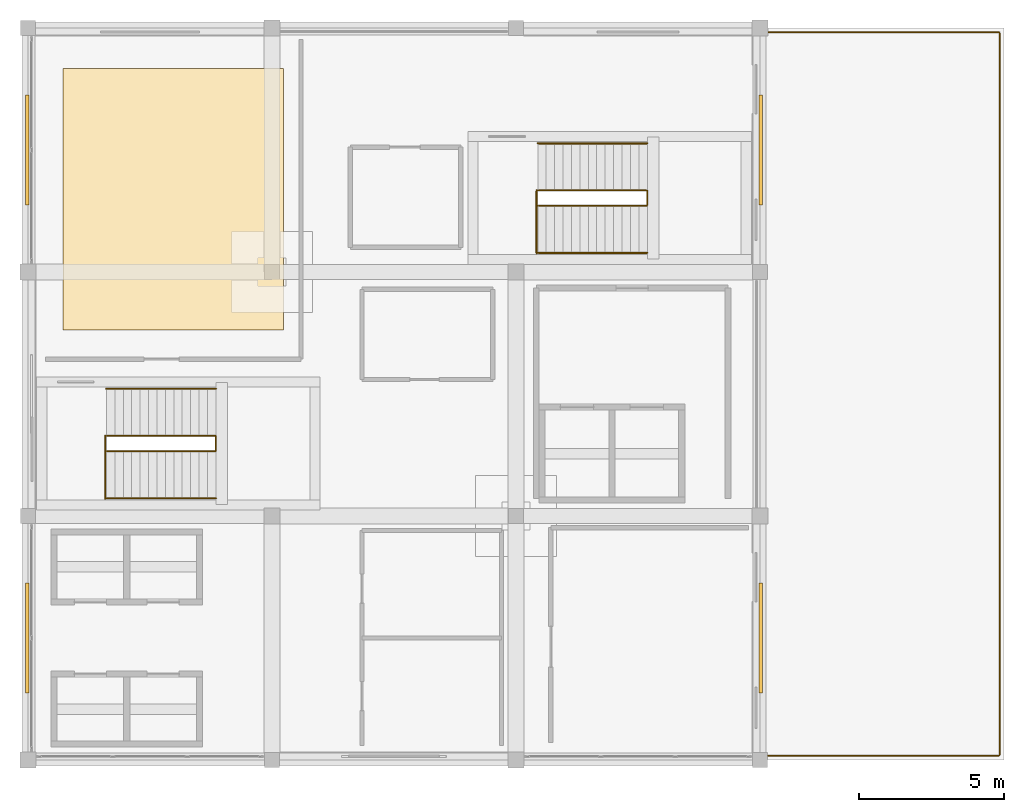
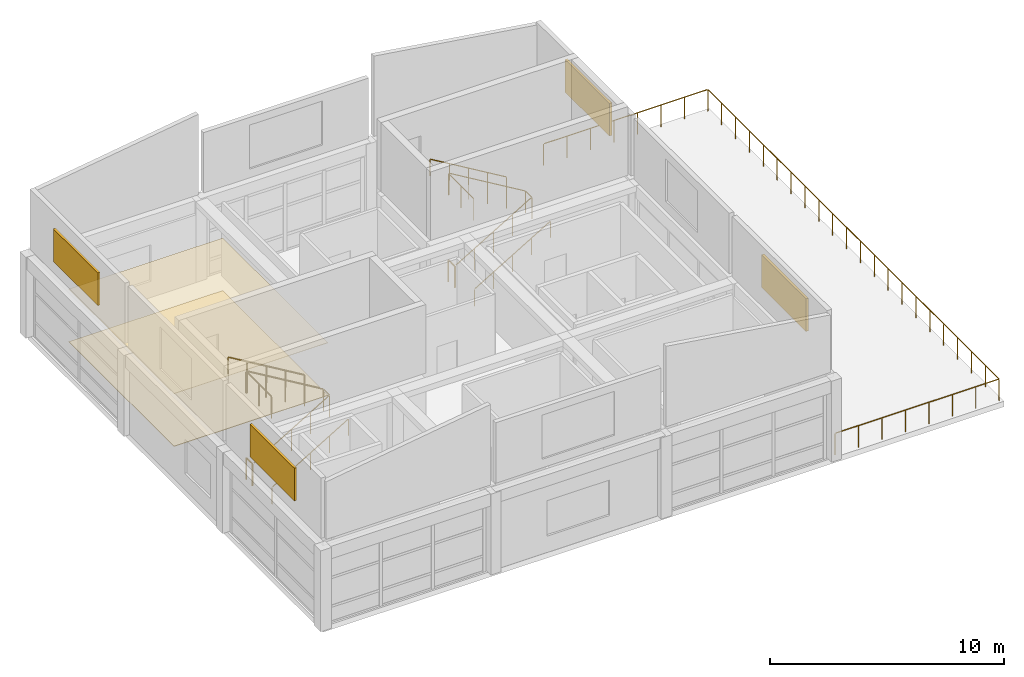
# One storey, part 17 of 17: 11 railings, 4 shading devices, 2 coverings.
"""IFC4 building model written with IfcOpenShell, lengths in metres."""

from ifc_helpers import new_model, si_unit, direction, frame, origin, origin_2d, place, context, subcontext, project, spatial, polyline, rectangle, circle, outline, extrude, material, layer, layer_set, type_object, element, save


model = new_model("IFC4")

# Units and contexts
model_context = context("Model", 3, precision=1e-05, world=origin(), true_north=direction((0.0, 1.0)))
body_context = subcontext(model_context, "Body", "Model", "MODEL_VIEW")
ifc_project = project(units=[si_unit("LENGTHUNIT", "METRE"), si_unit("AREAUNIT", "SQUARE_METRE"), si_unit("VOLUMEUNIT", "CUBIC_METRE"), si_unit("PLANEANGLEUNIT", "RADIAN"), si_unit("MASSUNIT", "GRAM", prefix="KILO")], contexts=[model_context])

# Site, building, storey
site_placement = place(None, origin())
site = spatial("IfcSite", under=ifc_project, at=site_placement, CompositionType="ELEMENT")
building_placement = place(site_placement, origin())
building = spatial("IfcBuilding", under=site, at=building_placement, Name="Almacenes y Pasaje Nevantli", CompositionType="ELEMENT")
storey_placement = place(building_placement, frame((0.0, 0.0, 66.699951171875)))
storey = spatial("IfcBuildingStorey", under=building, at=storey_placement, Name="L16", CompositionType="ELEMENT", Elevation=66.699951171875)

# Coverings
ifc_material_1 = material(Name="Perforated Acoustic Mineral Fiber Ceiling", Category="gypsum")
ifc_layer_1 = layer(ifc_material_1, 0.02001953125)
ifc_layer_set_1 = layer_set([ifc_layer_1], Name="Perforated Acoustic Mineral Fiber Ceiling")
covering_type_1 = type_object("IfcCoveringType", Name="COV-CEIL-ACU", PredefinedType="CEILING", material=ifc_layer_set_1)
covering_1_placement = place(storey_placement, frame((0.0, 0.0, 2.75)))
element("IfcCovering", 1, at=covering_1_placement, inside=storey, type_object=covering_type_1, Name="L16 Suspended Acoustic Ceiling Panel", PredefinedType="CEILING", context=body_context, shape_type="SweptSolid", body=[
    extrude(outline(polyline([(118.800048828125, 82.0), (126.39990234375, 82.0), (126.39990234375, 91.0), (118.800048828125, 91.0), (118.800048828125, 82.0)])), origin(), (0.0, 0.0, 1.0), 0.02001953125),
])
ifc_material_2 = material(Name="Polished Toluca Stone Terrazzo Flooring", Category="masonry")
ifc_layer_2 = layer(ifc_material_2, 0.02490234375)
ifc_layer_set_2 = layer_set([ifc_layer_2], Name="Polished Toluca Stone Terrazzo Flooring")
covering_type_2 = type_object("IfcCoveringType", Name="COV-FLR-TERRAZZO", PredefinedType="FLOORING", material=ifc_layer_set_2)
covering_2_placement = place(storey_placement, origin())
element("IfcCovering", 2, at=covering_2_placement, inside=storey, type_object=covering_type_2, Name="L16 Polished Stone Terrazzo Floor Finish", PredefinedType="FLOORING", context=body_context, shape_type="SweptSolid", body=[
    extrude(outline(polyline([(118.800048828125, 82.0), (126.39990234375, 82.0), (126.39990234375, 91.0), (118.800048828125, 91.0), (118.800048828125, 82.0)])), origin(), (0.0, 0.0, 1.0), 0.025146484375),
])

# Railings
ifc_material_3 = material(Name="Brushed Stainless Steel and Tempered Safety Glass", Category="steel")
railing_type_1 = type_object("IfcRailingType", Name="RL-GUARD-1100", PredefinedType="BALUSTRADE", material=ifc_material_3)
railing_1_placement = place(storey_placement, frame((120.260009765625, 76.18994140625, 4.5)))
element("IfcRailing", 3, at=railing_1_placement, inside=storey, type_object=railing_type_1, Name="L16 Crown Stair ST-01 Top Floor Well Guard", PredefinedType="BALUSTRADE", context=body_context, shape_type="SweptSolid", body=[
    extrude(circle(Radius=0.02392578125, at=origin_2d()), frame((0.0, 0.030029296875, 1.1259765625), z_axis=(0.0, 1.0, 0.0), x_axis=(-1.0, 0.0, 0.0)), (0.0, 0.0, 1.0), 2.110107421875),
    extrude(circle(Radius=0.02099609375, at=origin_2d()), origin(), (0.0, 0.0, 1.0), 1.096923828125),
    extrude(circle(Radius=0.02099609375, at=origin_2d()), frame((0.0, 1.0849609375, 0.0)), (0.0, 0.0, 1.0), 1.096923828125),
    extrude(circle(Radius=0.02099609375, at=origin_2d()), frame((0.0, 2.170166015625, 0.0)), (0.0, 0.0, 1.0), 1.096923828125),
])
railing_2_placement = place(storey_placement, frame((120.300048828125, 77.830078125, 0.0)))
element("IfcRailing", 4, at=railing_2_placement, inside=storey, type_object=railing_type_1, Name="L16 Stair ST-01 Inner Well Guard Balustrade", PredefinedType="BALUSTRADE", context=body_context, shape_type="SweptSolid", body=[
    extrude(circle(Radius=0.02392578125, at=origin_2d()), frame((0.02587890625, 0.0, 1.14111328125), z_axis=(0.858697585051, 0.0, 0.512482641098), x_axis=(0.0, 1.0, 0.0)), (0.0, 0.0, 1.0), 4.330322265625),
    extrude(circle(Radius=0.02392578125, at=origin_2d()), frame((3.77001953125, 0.030029296875, 3.3759765625), z_axis=(0.0, 1.0, 0.0), x_axis=(-1.0, 0.0, 0.0)), (0.0, 0.0, 1.0), 0.469970703125),
    extrude(circle(Radius=0.02392578125, at=origin_2d()), frame((3.744140625, 0.530029296875, 3.39111328125), z_axis=(-0.858697585051, 0.0, 0.512482641098), x_axis=(0.0, -1.0, 0.0)), (0.0, 0.0, 1.0), 4.330322265625),
    extrude(circle(Radius=0.02099609375, at=origin_2d()), origin(), (0.0, 0.0, 1.0), 1.096923828125),
    extrude(circle(Radius=0.02099609375, at=origin_2d()), frame((0.9423828125, 0.0, 0.5625)), (0.0, 0.0, 1.0), 1.096923828125),
    extrude(circle(Radius=0.02099609375, at=origin_2d()), frame((1.885009765625, 0.0, 1.125)), (0.0, 0.0, 1.0), 1.096923828125),
    extrude(circle(Radius=0.02099609375, at=origin_2d()), frame((2.82763671875, 0.0, 1.6875)), (0.0, 0.0, 1.0), 1.096923828125),
    extrude(circle(Radius=0.02099609375, at=origin_2d()), frame((3.77001953125, 0.0, 2.25)), (0.0, 0.0, 1.0), 1.096923828125),
    extrude(circle(Radius=0.02099609375, at=origin_2d()), frame((3.77001953125, 0.530029296875, 2.25)), (0.0, 0.0, 1.0), 1.096923828125),
    extrude(circle(Radius=0.02099609375, at=origin_2d()), frame((2.82763671875, 0.530029296875, 2.8125)), (0.0, 0.0, 1.0), 1.096923828125),
    extrude(circle(Radius=0.02099609375, at=origin_2d()), frame((1.885009765625, 0.530029296875, 3.375)), (0.0, 0.0, 1.0), 1.096923828125),
    extrude(circle(Radius=0.02099609375, at=origin_2d()), frame((0.9423828125, 0.530029296875, 3.9375)), (0.0, 0.0, 1.0), 1.096923828125),
    extrude(circle(Radius=0.02099609375, at=origin_2d()), frame((0.0, 0.530029296875, 4.5)), (0.0, 0.0, 1.0), 1.096923828125),
])
railing_3_placement = place(storey_placement, frame((120.260009765625, 77.830078125, 0.0)))
element("IfcRailing", 5, at=railing_3_placement, inside=storey, type_object=railing_type_1, Name="L16 Stair ST-01 Landing Well Slot Guard", PredefinedType="BALUSTRADE", context=body_context, shape_type="SweptSolid", body=[
    extrude(circle(Radius=0.02392578125, at=origin_2d()), frame((0.0, 0.030029296875, 1.1259765625), z_axis=(0.0, 1.0, 0.0), x_axis=(-1.0, 0.0, 0.0)), (0.0, 0.0, 1.0), 0.469970703125),
    extrude(circle(Radius=0.02099609375, at=origin_2d()), origin(), (0.0, 0.0, 1.0), 1.096923828125),
    extrude(circle(Radius=0.02099609375, at=origin_2d()), frame((0.0, 0.530029296875, 0.0)), (0.0, 0.0, 1.0), 1.096923828125),
])
railing_4_placement = place(storey_placement, frame((135.110107421875, 84.639892578125, 4.5)))
element("IfcRailing", 6, at=railing_4_placement, inside=storey, type_object=railing_type_1, Name="L16 Crown Stair ST-02 Top Floor Well Guard", PredefinedType="BALUSTRADE", context=body_context, shape_type="SweptSolid", body=[
    extrude(circle(Radius=0.02392578125, at=origin_2d()), frame((0.0, 0.030029296875, 1.1259765625), z_axis=(0.0, 1.0, 0.0), x_axis=(-1.0, 0.0, 0.0)), (0.0, 0.0, 1.0), 2.110107421875),
    extrude(circle(Radius=0.02099609375, at=origin_2d()), origin(), (0.0, 0.0, 1.0), 1.096923828125),
    extrude(circle(Radius=0.02099609375, at=origin_2d()), frame((0.0, 1.0849609375, 0.0)), (0.0, 0.0, 1.0), 1.096923828125),
    extrude(circle(Radius=0.02099609375, at=origin_2d()), frame((0.0, 2.170166015625, 0.0)), (0.0, 0.0, 1.0), 1.096923828125),
])
railing_5_placement = place(storey_placement, frame((135.14990234375, 86.280029296875, 0.0)))
element("IfcRailing", 7, at=railing_5_placement, inside=storey, type_object=railing_type_1, Name="L16 Stair ST-02 Inner Well Guard Balustrade", PredefinedType="BALUSTRADE", context=body_context, shape_type="SweptSolid", body=[
    extrude(circle(Radius=0.02392578125, at=origin_2d()), frame((0.02587890625, 0.0, 1.14111328125), z_axis=(0.858697585051, 0.0, 0.512482641098), x_axis=(0.0, 1.0, 0.0)), (0.0, 0.0, 1.0), 4.330322265625),
    extrude(circle(Radius=0.02392578125, at=origin_2d()), frame((3.77001953125, 0.030029296875, 3.3759765625), z_axis=(0.0, 1.0, 0.0), x_axis=(-1.0, 0.0, 0.0)), (0.0, 0.0, 1.0), 0.469970703125),
    extrude(circle(Radius=0.02392578125, at=origin_2d()), frame((3.744140625, 0.530029296875, 3.39111328125), z_axis=(-0.858697585051, 0.0, 0.512482641098), x_axis=(0.0, -1.0, 0.0)), (0.0, 0.0, 1.0), 4.330322265625),
    extrude(circle(Radius=0.02099609375, at=origin_2d()), origin(), (0.0, 0.0, 1.0), 1.096923828125),
    extrude(circle(Radius=0.02099609375, at=origin_2d()), frame((0.9423828125, 0.0, 0.5625)), (0.0, 0.0, 1.0), 1.096923828125),
    extrude(circle(Radius=0.02099609375, at=origin_2d()), frame((1.885009765625, 0.0, 1.125)), (0.0, 0.0, 1.0), 1.096923828125),
    extrude(circle(Radius=0.02099609375, at=origin_2d()), frame((2.82763671875, 0.0, 1.6875)), (0.0, 0.0, 1.0), 1.096923828125),
    extrude(circle(Radius=0.02099609375, at=origin_2d()), frame((3.77001953125, 0.0, 2.25)), (0.0, 0.0, 1.0), 1.096923828125),
    extrude(circle(Radius=0.02099609375, at=origin_2d()), frame((3.77001953125, 0.530029296875, 2.25)), (0.0, 0.0, 1.0), 1.096923828125),
    extrude(circle(Radius=0.02099609375, at=origin_2d()), frame((2.82763671875, 0.530029296875, 2.8125)), (0.0, 0.0, 1.0), 1.096923828125),
    extrude(circle(Radius=0.02099609375, at=origin_2d()), frame((1.885009765625, 0.530029296875, 3.375)), (0.0, 0.0, 1.0), 1.096923828125),
    extrude(circle(Radius=0.02099609375, at=origin_2d()), frame((0.9423828125, 0.530029296875, 3.9375)), (0.0, 0.0, 1.0), 1.096923828125),
    extrude(circle(Radius=0.02099609375, at=origin_2d()), frame((0.0, 0.530029296875, 4.5)), (0.0, 0.0, 1.0), 1.096923828125),
])
railing_6_placement = place(storey_placement, frame((135.110107421875, 86.280029296875, 0.0)))
element("IfcRailing", 8, at=railing_6_placement, inside=storey, type_object=railing_type_1, Name="L16 Stair ST-02 Landing Well Slot Guard", PredefinedType="BALUSTRADE", context=body_context, shape_type="SweptSolid", body=[
    extrude(circle(Radius=0.02392578125, at=origin_2d()), frame((0.0, 0.030029296875, 1.1259765625), z_axis=(0.0, 1.0, 0.0), x_axis=(-1.0, 0.0, 0.0)), (0.0, 0.0, 1.0), 0.469970703125),
    extrude(circle(Radius=0.02099609375, at=origin_2d()), origin(), (0.0, 0.0, 1.0), 1.096923828125),
    extrude(circle(Radius=0.02099609375, at=origin_2d()), frame((0.0, 0.530029296875, 0.0)), (0.0, 0.0, 1.0), 1.096923828125),
])
ifc_material_4 = material(Name="Brushed Stainless Steel Tube", Category="steel")
railing_type_2 = type_object("IfcRailingType", Name="RL-HANDRAIL-900", PredefinedType="HANDRAIL", material=ifc_material_4)
railing_7_placement = place(storey_placement, frame((120.300048828125, 76.2099609375, 0.0)))
element("IfcRailing", 9, at=railing_7_placement, inside=storey, type_object=railing_type_2, Name="L16 Stair ST-01 Lower Flight Handrail", PredefinedType="HANDRAIL", context=body_context, shape_type="SweptSolid", body=[
    extrude(circle(Radius=0.02392578125, at=origin_2d()), frame((0.02587890625, 0.0, 0.89111328125), z_axis=(0.858697585051, 0.0, 0.512482641098), x_axis=(0.0, 1.0, 0.0)), (0.0, 0.0, 1.0), 4.330322265625),
    extrude(circle(Radius=0.02099609375, at=origin_2d()), origin(), (0.0, 0.0, 1.0), 0.846923828125),
    extrude(circle(Radius=0.02099609375, at=origin_2d()), frame((0.9423828125, 0.0, 0.5625)), (0.0, 0.0, 1.0), 0.846923828125),
    extrude(circle(Radius=0.02099609375, at=origin_2d()), frame((1.885009765625, 0.0, 1.125)), (0.0, 0.0, 1.0), 0.846923828125),
    extrude(circle(Radius=0.02099609375, at=origin_2d()), frame((2.82763671875, 0.0, 1.6875)), (0.0, 0.0, 1.0), 0.846923828125),
    extrude(circle(Radius=0.02099609375, at=origin_2d()), frame((3.77001953125, 0.0, 2.25)), (0.0, 0.0, 1.0), 0.846923828125),
])
railing_8_placement = place(storey_placement, frame((124.070068359375, 79.97998046875, 2.25)))
element("IfcRailing", 10, at=railing_8_placement, inside=storey, type_object=railing_type_2, Name="L16 Stair ST-01 Upper Flight Handrail", PredefinedType="HANDRAIL", context=body_context, shape_type="SweptSolid", body=[
    extrude(circle(Radius=0.02392578125, at=origin_2d()), frame((-0.02587890625, 0.0, 0.89111328125), z_axis=(-0.858697585051, 0.0, 0.512482641098), x_axis=(0.0, -1.0, 0.0)), (0.0, 0.0, 1.0), 4.330322265625),
    extrude(circle(Radius=0.02099609375, at=origin_2d()), origin(), (0.0, 0.0, 1.0), 0.846923828125),
    extrude(circle(Radius=0.02099609375, at=origin_2d()), frame((-0.9423828125, 0.0, 0.5625)), (0.0, 0.0, 1.0), 0.846923828125),
    extrude(circle(Radius=0.02099609375, at=origin_2d()), frame((-1.885009765625, 0.0, 1.125)), (0.0, 0.0, 1.0), 0.846923828125),
    extrude(circle(Radius=0.02099609375, at=origin_2d()), frame((-2.82763671875, 0.0, 1.6875)), (0.0, 0.0, 1.0), 0.846923828125),
    extrude(circle(Radius=0.02099609375, at=origin_2d()), frame((-3.77001953125, 0.0, 2.25)), (0.0, 0.0, 1.0), 0.846923828125),
])
railing_9_placement = place(storey_placement, frame((135.14990234375, 84.659912109375, 0.0)))
element("IfcRailing", 11, at=railing_9_placement, inside=storey, type_object=railing_type_2, Name="L16 Stair ST-02 Lower Flight Handrail", PredefinedType="HANDRAIL", context=body_context, shape_type="SweptSolid", body=[
    extrude(circle(Radius=0.02392578125, at=origin_2d()), frame((0.02587890625, 0.0, 0.89111328125), z_axis=(0.858697585051, 0.0, 0.512482641098), x_axis=(0.0, 1.0, 0.0)), (0.0, 0.0, 1.0), 4.330322265625),
    extrude(circle(Radius=0.02099609375, at=origin_2d()), origin(), (0.0, 0.0, 1.0), 0.846923828125),
    extrude(circle(Radius=0.02099609375, at=origin_2d()), frame((0.9423828125, 0.0, 0.5625)), (0.0, 0.0, 1.0), 0.846923828125),
    extrude(circle(Radius=0.02099609375, at=origin_2d()), frame((1.885009765625, 0.0, 1.125)), (0.0, 0.0, 1.0), 0.846923828125),
    extrude(circle(Radius=0.02099609375, at=origin_2d()), frame((2.82763671875, 0.0, 1.6875)), (0.0, 0.0, 1.0), 0.846923828125),
    extrude(circle(Radius=0.02099609375, at=origin_2d()), frame((3.77001953125, 0.0, 2.25)), (0.0, 0.0, 1.0), 0.846923828125),
])
railing_10_placement = place(storey_placement, frame((138.919921875, 88.429931640625, 2.25)))
element("IfcRailing", 12, at=railing_10_placement, inside=storey, type_object=railing_type_2, Name="L16 Stair ST-02 Upper Flight Handrail", PredefinedType="HANDRAIL", context=body_context, shape_type="SweptSolid", body=[
    extrude(circle(Radius=0.02392578125, at=origin_2d()), frame((-0.02587890625, 0.0, 0.89111328125), z_axis=(-0.858697585051, 0.0, 0.512482641098), x_axis=(0.0, -1.0, 0.0)), (0.0, 0.0, 1.0), 4.330322265625),
    extrude(circle(Radius=0.02099609375, at=origin_2d()), origin(), (0.0, 0.0, 1.0), 0.846923828125),
    extrude(circle(Radius=0.02099609375, at=origin_2d()), frame((-0.9423828125, 0.0, 0.5625)), (0.0, 0.0, 1.0), 0.846923828125),
    extrude(circle(Radius=0.02099609375, at=origin_2d()), frame((-1.885009765625, 0.0, 1.125)), (0.0, 0.0, 1.0), 0.846923828125),
    extrude(circle(Radius=0.02099609375, at=origin_2d()), frame((-2.82763671875, 0.0, 1.6875)), (0.0, 0.0, 1.0), 0.846923828125),
    extrude(circle(Radius=0.02099609375, at=origin_2d()), frame((-3.77001953125, 0.0, 2.25)), (0.0, 0.0, 1.0), 0.846923828125),
])
ifc_material_5 = material(Name="Tempered Safety Glass and Stainless Steel", Category="steel")
railing_type_3 = type_object("IfcRailingType", Name="RL-TERRACE-1100", PredefinedType="BALUSTRADE", material=ifc_material_5)
railing_11_placement = place(storey_placement, frame((142.949951171875, 92.25, 0.0)))
element("IfcRailing", 13, at=railing_11_placement, inside=storey, type_object=railing_type_3, Name="L16 Executive Belvedere Terrace Perimeter Guard Balustrade", PredefinedType="BALUSTRADE", context=body_context, shape_type="SweptSolid", body=[
    extrude(circle(Radius=0.02392578125, at=origin_2d()), frame((0.030029296875, 0.0, 1.1259765625), z_axis=(1.0, 0.0, 0.0), x_axis=(0.0, 1.0, 0.0)), (0.0, 0.0, 1.0), 8.0400390625),
    extrude(circle(Radius=0.02392578125, at=origin_2d()), frame((8.10009765625, -0.030029296875, 1.1259765625), z_axis=(0.0, -1.0, 0.0), x_axis=(1.0, 0.0, 0.0)), (0.0, 0.0, 1.0), 24.83984375),
    extrude(circle(Radius=0.02392578125, at=origin_2d()), frame((8.070068359375, -24.89990234375, 1.1259765625), z_axis=(-1.0, 0.0, 0.0), x_axis=(0.0, -1.0, 0.0)), (0.0, 0.0, 1.0), 8.0400390625),
    extrude(circle(Radius=0.02099609375, at=origin_2d()), origin(), (0.0, 0.0, 1.0), 1.096923828125),
    extrude(circle(Radius=0.02099609375, at=origin_2d()), frame((1.1572265625, 0.0, 0.0)), (0.0, 0.0, 1.0), 1.096923828125),
    extrude(circle(Radius=0.02099609375, at=origin_2d()), frame((2.314208984375, 0.0, 0.0)), (0.0, 0.0, 1.0), 1.096923828125),
    extrude(circle(Radius=0.02099609375, at=origin_2d()), frame((3.471435546875, 0.0, 0.0)), (0.0, 0.0, 1.0), 1.096923828125),
    extrude(circle(Radius=0.02099609375, at=origin_2d()), frame((4.628662109375, 0.0, 0.0)), (0.0, 0.0, 1.0), 1.096923828125),
    extrude(circle(Radius=0.02099609375, at=origin_2d()), frame((5.785888671875, 0.0, 0.0)), (0.0, 0.0, 1.0), 1.096923828125),
    extrude(circle(Radius=0.02099609375, at=origin_2d()), frame((6.94287109375, 0.0, 0.0)), (0.0, 0.0, 1.0), 1.096923828125),
    extrude(circle(Radius=0.02099609375, at=origin_2d()), frame((8.10009765625, 0.0, 0.0)), (0.0, 0.0, 1.0), 1.096923828125),
    extrude(circle(Radius=0.02099609375, at=origin_2d()), frame((8.10009765625, -1.185791015625, 0.0)), (0.0, 0.0, 1.0), 1.096923828125),
    extrude(circle(Radius=0.02099609375, at=origin_2d()), frame((8.10009765625, -2.371337890625, 0.0)), (0.0, 0.0, 1.0), 1.096923828125),
    extrude(circle(Radius=0.02099609375, at=origin_2d()), frame((8.10009765625, -3.55712890625, 0.0)), (0.0, 0.0, 1.0), 1.096923828125),
    extrude(circle(Radius=0.02099609375, at=origin_2d()), frame((8.10009765625, -4.742919921875, 0.0)), (0.0, 0.0, 1.0), 1.096923828125),
    extrude(circle(Radius=0.02099609375, at=origin_2d()), frame((8.10009765625, -5.928466796875, 0.0)), (0.0, 0.0, 1.0), 1.096923828125),
    extrude(circle(Radius=0.02099609375, at=origin_2d()), frame((8.10009765625, -7.1142578125, 0.0)), (0.0, 0.0, 1.0), 1.096923828125),
    extrude(circle(Radius=0.02099609375, at=origin_2d()), frame((8.10009765625, -8.300048828125, 0.0)), (0.0, 0.0, 1.0), 1.096923828125),
    extrude(circle(Radius=0.02099609375, at=origin_2d()), frame((8.10009765625, -9.485595703125, 0.0)), (0.0, 0.0, 1.0), 1.096923828125),
    extrude(circle(Radius=0.02099609375, at=origin_2d()), frame((8.10009765625, -10.67138671875, 0.0)), (0.0, 0.0, 1.0), 1.096923828125),
    extrude(circle(Radius=0.02099609375, at=origin_2d()), frame((8.10009765625, -11.857177734375, 0.0)), (0.0, 0.0, 1.0), 1.096923828125),
    extrude(circle(Radius=0.02099609375, at=origin_2d()), frame((8.10009765625, -13.042724609375, 0.0)), (0.0, 0.0, 1.0), 1.096923828125),
    extrude(circle(Radius=0.02099609375, at=origin_2d()), frame((8.10009765625, -14.228515625, 0.0)), (0.0, 0.0, 1.0), 1.096923828125),
    extrude(circle(Radius=0.02099609375, at=origin_2d()), frame((8.10009765625, -15.414306640625, 0.0)), (0.0, 0.0, 1.0), 1.096923828125),
    extrude(circle(Radius=0.02099609375, at=origin_2d()), frame((8.10009765625, -16.599853515625, 0.0)), (0.0, 0.0, 1.0), 1.096923828125),
    extrude(circle(Radius=0.02099609375, at=origin_2d()), frame((8.10009765625, -17.78564453125, 0.0)), (0.0, 0.0, 1.0), 1.096923828125),
    extrude(circle(Radius=0.02099609375, at=origin_2d()), frame((8.10009765625, -18.971435546875, 0.0)), (0.0, 0.0, 1.0), 1.096923828125),
    extrude(circle(Radius=0.02099609375, at=origin_2d()), frame((8.10009765625, -20.156982421875, 0.0)), (0.0, 0.0, 1.0), 1.096923828125),
    extrude(circle(Radius=0.02099609375, at=origin_2d()), frame((8.10009765625, -21.3427734375, 0.0)), (0.0, 0.0, 1.0), 1.096923828125),
    extrude(circle(Radius=0.02099609375, at=origin_2d()), frame((8.10009765625, -22.528564453125, 0.0)), (0.0, 0.0, 1.0), 1.096923828125),
    extrude(circle(Radius=0.02099609375, at=origin_2d()), frame((8.10009765625, -23.714111328125, 0.0)), (0.0, 0.0, 1.0), 1.096923828125),
    extrude(circle(Radius=0.02099609375, at=origin_2d()), frame((8.10009765625, -24.89990234375, 0.0)), (0.0, 0.0, 1.0), 1.096923828125),
    extrude(circle(Radius=0.02099609375, at=origin_2d()), frame((6.94287109375, -24.89990234375, 0.0)), (0.0, 0.0, 1.0), 1.096923828125),
    extrude(circle(Radius=0.02099609375, at=origin_2d()), frame((5.785888671875, -24.89990234375, 0.0)), (0.0, 0.0, 1.0), 1.096923828125),
    extrude(circle(Radius=0.02099609375, at=origin_2d()), frame((4.628662109375, -24.89990234375, 0.0)), (0.0, 0.0, 1.0), 1.096923828125),
    extrude(circle(Radius=0.02099609375, at=origin_2d()), frame((3.471435546875, -24.89990234375, 0.0)), (0.0, 0.0, 1.0), 1.096923828125),
    extrude(circle(Radius=0.02099609375, at=origin_2d()), frame((2.314208984375, -24.89990234375, 0.0)), (0.0, 0.0, 1.0), 1.096923828125),
    extrude(circle(Radius=0.02099609375, at=origin_2d()), frame((1.1572265625, -24.89990234375, 0.0)), (0.0, 0.0, 1.0), 1.096923828125),
    extrude(circle(Radius=0.02099609375, at=origin_2d()), frame((0.0, -24.89990234375, 0.0)), (0.0, 0.0, 1.0), 1.096923828125),
])

# Shading devices
ifc_material_6 = material(Name="Powder-Coated Acoustic Aluminium Louver", Category="aluminium")
ifc_layer_3 = layer(ifc_material_6, 0.1201171875)
ifc_layer_set_3 = layer_set([ifc_layer_3], Name="Powder-Coated Acoustic Aluminium Louver")
shading_device_type = type_object("IfcShadingDeviceType", Name="SHD-LOUVER-ALU", PredefinedType="JALOUSIE", material=ifc_layer_set_3)
for number, where, z_axis, x_axis, name in (
    (14, (117.580078125, 71.39990234375, 5.2001953125), (0.0, 0.0, 1.0), (1.0, 0.0, 0.0), "L16 Crown West Acoustic Plant Louver #1"),
    (15, (117.580078125, 88.199951171875, 5.2001953125), (0.0, 0.0, 1.0), (1.0, 0.0, 0.0), "L16 Crown West Acoustic Plant Louver #3"),
    (16, (142.820068359375, 71.39990234375, 5.2001953125), (0.0, 0.0, 1.0), (1.0, 0.0, 0.0), "L16 Crown East Acoustic Plant Louver #1"),
    (17, (142.820068359375, 88.199951171875, 5.2001953125), (0.0, 0.0, 1.0), (1.0, 0.0, 0.0), "L16 Crown East Acoustic Plant Louver #3"),
):
    element("IfcShadingDevice", number, at=place(storey_placement, frame(where, z_axis=z_axis, x_axis=x_axis)), inside=storey, type_object=shading_device_type, Name=name, PredefinedType="JALOUSIE", context=body_context, shape_type="SweptSolid", body=[
        extrude(rectangle(XDim=0.1201171875, YDim=3.800048828125, at=origin_2d()), origin(), (0.0, 0.0, 1.0), 1.699951171875),
    ])

save(model, "model.ifc")
